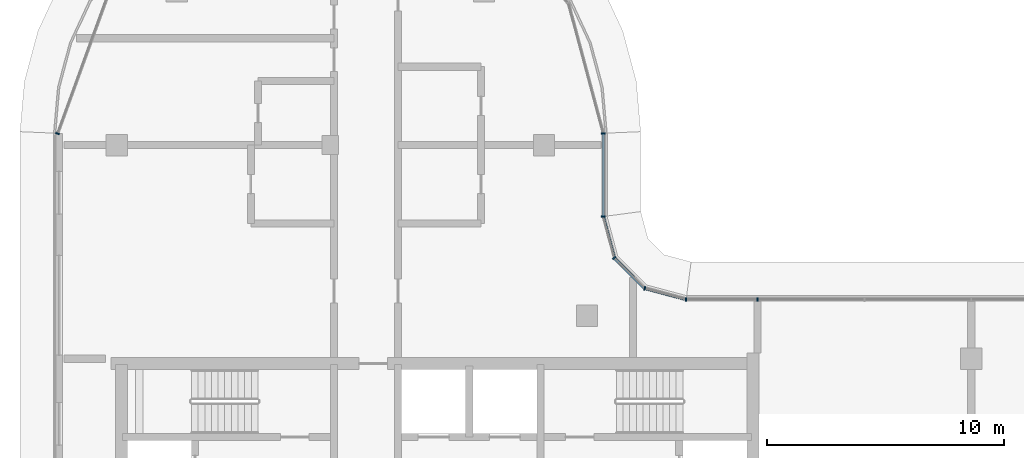
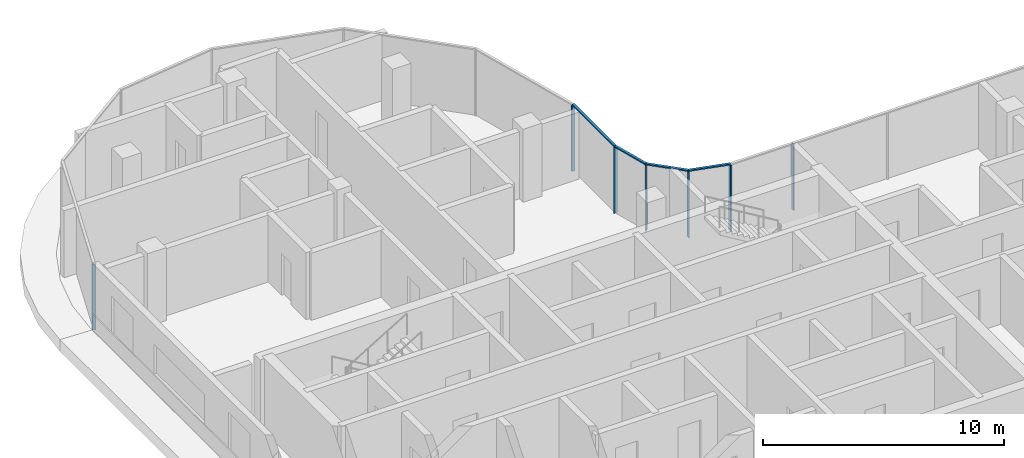
# One storey, part 2 of 20: 11 members, 4 elements without a shape of their own.
"""IFC4 building model written with IfcOpenShell, lengths in metres."""

from ifc_helpers import new_model, si_unit, direction, frame, origin, origin_2d, place, context, subcontext, project, spatial, rectangle, extrude, material, material_profile, profile_set, type_object, element, aggregate, save


model = new_model("IFC4")

# Units and contexts
model_context = context("Model", 3, precision=1e-05, world=origin(), true_north=direction((0.0, 1.0)))
body_context = subcontext(model_context, "Body", "Model", "MODEL_VIEW")
ifc_project = project(units=[si_unit("LENGTHUNIT", "METRE"), si_unit("AREAUNIT", "SQUARE_METRE"), si_unit("VOLUMEUNIT", "CUBIC_METRE"), si_unit("PLANEANGLEUNIT", "RADIAN"), si_unit("MASSUNIT", "GRAM", prefix="KILO")], contexts=[model_context])

# Site, building, storey
site_placement = place(None, origin())
site = spatial("IfcSite", under=ifc_project, at=site_placement, CompositionType="ELEMENT")
building_placement = place(site_placement, origin())
building = spatial("IfcBuilding", under=site, at=building_placement, Name="Ogive Portal Towers", CompositionType="ELEMENT")
storey_placement = place(building_placement, frame((0.0, 0.0, 232.800048828125)))
storey = spatial("IfcBuildingStorey", under=building, at=storey_placement, Name="L58", CompositionType="ELEMENT", Elevation=232.800048828125)

# Curtain wall, members
ifc_material_1 = material(Name="Glass, clear low-iron insulated glazing", Category="glass")
curtain_wall_type = type_object("IfcCurtainWallType", Name="CW FRONT RIBBON 4500", PredefinedType="NOTDEFINED", material=ifc_material_1)
curtain_wall_1_placement = place(storey_placement, origin())
curtain_wall_1 = element("IfcCurtainWall", 1, at=curtain_wall_1_placement, inside=storey, type_object=curtain_wall_type, Name="A:L58:f16:cw0", PredefinedType="NOTDEFINED")
ifc_material_2 = material(Name="Aluminium 6063 anodised", Category="aluminium")
ifc_material_profile_1 = material_profile(ifc_material_2, rectangle(XDim=0.159912109375, YDim=0.06005859375, at=origin_2d()), Name="AL 60x160")
ifc_profile_set_1 = profile_set([ifc_material_profile_1], Name="Aluminium 6063 anodised")
member_type_1 = type_object("IfcMemberType", Name="CW MULLION 60x160", PredefinedType="MULLION", material=ifc_profile_set_1)
member_1_placement = place(storey_placement, frame((58.5, 41.9951171875, 0.0), z_axis=(0.0, 0.0, 1.0), x_axis=(0.0, -1.0, 0.0)))
member_1 = element("IfcMember", 2, at=member_1_placement, type_object=member_type_1, Name="mullion", PredefinedType="MULLION", context=body_context, shape_type="SweptSolid", body=[
    extrude(rectangle(XDim=0.159912109375, YDim=0.06005859375, at=origin_2d()), origin(), (0.0, 0.0, 1.0), 3.33984375),
])
member_2_placement = place(storey_placement, frame((55.489501953125, 41.9951171875, 0.0), z_axis=(0.0, 0.0, 1.0), x_axis=(0.0, -1.0, 0.0)))
member_2 = element("IfcMember", 3, at=member_2_placement, type_object=member_type_1, Name="mullion", PredefinedType="MULLION", context=body_context, shape_type="SweptSolid", body=[
    extrude(rectangle(XDim=0.159912109375, YDim=0.06005859375, at=origin_2d()), origin(), (0.0, 0.0, 1.0), 3.33984375),
])
aggregate(curtain_wall_1, [member_1, member_2])

curtain_wall_2_placement = place(storey_placement, origin())
curtain_wall_2 = element("IfcCurtainWall", 4, at=curtain_wall_2_placement, inside=storey, type_object=curtain_wall_type, Name="A:L58:f20:cw0", PredefinedType="NOTDEFINED")
member_3_placement = place(storey_placement, frame((51.9951171875, 45.489501953125, 0.0), z_axis=(0.0, 0.0, 1.0), x_axis=(-1.0, 0.0, 0.0)))
member_3 = element("IfcMember", 5, at=member_3_placement, type_object=member_type_1, Name="mullion", PredefinedType="MULLION", context=body_context, shape_type="SweptSolid", body=[
    extrude(rectangle(XDim=0.159912109375, YDim=0.06005859375, at=origin_2d()), origin(), (0.0, 0.0, 1.0), 3.33984375),
])
member_4_placement = place(storey_placement, frame((51.9951171875, 48.989501953125, 0.0), z_axis=(0.0, 0.0, 1.0), x_axis=(-1.0, 0.0, 0.0)))
member_4 = element("IfcMember", 6, at=member_4_placement, type_object=member_type_1, Name="mullion", PredefinedType="MULLION", context=body_context, shape_type="SweptSolid", body=[
    extrude(rectangle(XDim=0.159912109375, YDim=0.06005859375, at=origin_2d()), origin(), (0.0, 0.0, 1.0), 3.33984375),
])

curtain_wall_3_placement = place(storey_placement, origin())
curtain_wall_3 = element("IfcCurtainWall", 7, at=curtain_wall_3_placement, inside=storey, type_object=curtain_wall_type, Name="A:L58:f17:cwa", PredefinedType="NOTDEFINED")
member_5_placement = place(storey_placement, frame((53.74609375, 42.462158203125, 0.0), z_axis=(0.0, 0.0, 1.0), x_axis=(-0.258819045103, -0.965925826289, 0.0)))
member_5 = element("IfcMember", 8, at=member_5_placement, type_object=member_type_1, Name="mullion", PredefinedType="MULLION", context=body_context, shape_type="SweptSolid", body=[
    extrude(rectangle(XDim=0.159912109375, YDim=0.06005859375, at=origin_2d()), origin(), (0.0, 0.0, 1.0), 3.33984375),
])
member_6_placement = place(storey_placement, frame((52.462158203125, 43.74609375, 0.0), z_axis=(0.0, 0.0, 1.0), x_axis=(-0.707106781187, -0.707106781187, 0.0)))
member_6 = element("IfcMember", 9, at=member_6_placement, type_object=member_type_1, Name="mullion", PredefinedType="MULLION", context=body_context, shape_type="SweptSolid", body=[
    extrude(rectangle(XDim=0.159912109375, YDim=0.06005859375, at=origin_2d()), origin(), (0.0, 0.0, 1.0), 3.33984375),
])

# Curtain wall, member
curtain_wall_4_placement = place(storey_placement, origin())
curtain_wall_4 = element("IfcCurtainWall", 10, at=curtain_wall_4_placement, inside=storey, type_object=curtain_wall_type, Name="A:L58:f21:cwa", PredefinedType="NOTDEFINED")
member_7_placement = place(storey_placement, frame((29.0048828125, 48.98583984375, 0.0), z_axis=(0.0, 0.0, 1.0), x_axis=(0.939692620786, -0.342020143326, 0.0)))
member_7 = element("IfcMember", 11, at=member_7_placement, type_object=member_type_1, Name="mullion", PredefinedType="MULLION", context=body_context, shape_type="SweptSolid", body=[
    extrude(rectangle(XDim=0.159912109375, YDim=0.06005859375, at=origin_2d()), origin(), (0.0, 0.0, 1.0), 3.33984375),
])
aggregate(curtain_wall_4, [member_7])

# Member
ifc_material_profile_2 = material_profile(ifc_material_2, rectangle(XDim=0.1201171875, YDim=0.06005859375, at=origin_2d()), Name="AL 120x60")
ifc_profile_set_2 = profile_set([ifc_material_profile_2], Name="Aluminium 6063 anodised")
member_type_2 = type_object("IfcMemberType", Name="CW TRANSOM 60x120", PredefinedType="USERDEFINED", material=ifc_profile_set_2)
member_8_placement = place(storey_placement, frame((51.9951171875, 45.489501953125, 3.369873046875), z_axis=(0.0, 1.0, 0.0), x_axis=(-1.0, 0.0, 0.0)))
member_8 = element("IfcMember", 12, at=member_8_placement, type_object=member_type_2, Name="transom", ObjectType="TRANSOM", PredefinedType="USERDEFINED", context=body_context, shape_type="SweptSolid", body=[
    extrude(rectangle(XDim=0.1201171875, YDim=0.06005859375, at=origin_2d()), origin(), (0.0, 0.0, 1.0), 3.5),
])

aggregate(curtain_wall_2, [member_8, member_3, member_4])

member_9_placement = place(storey_placement, frame((55.489501953125, 41.9951171875, 3.369873046875), z_axis=(-0.965940203089, 0.258765384191, 0.0), x_axis=(-0.258765384191, -0.965940203089, 0.0)))
member_9 = element("IfcMember", 13, at=member_9_placement, type_object=member_type_2, Name="transom", ObjectType="TRANSOM", PredefinedType="USERDEFINED", context=body_context, shape_type="SweptSolid", body=[
    extrude(rectangle(XDim=0.1201171875, YDim=0.06005859375, at=origin_2d()), origin(), (0.0, 0.0, 1.0), 1.804931640625),
])

member_10_placement = place(storey_placement, frame((53.74609375, 42.462158203125, 3.369873046875), z_axis=(-0.707106781187, 0.707106781187, 0.0), x_axis=(-0.707106781187, -0.707106781187, 0.0)))
member_10 = element("IfcMember", 14, at=member_10_placement, type_object=member_type_2, Name="transom", ObjectType="TRANSOM", PredefinedType="USERDEFINED", context=body_context, shape_type="SweptSolid", body=[
    extrude(rectangle(XDim=0.1201171875, YDim=0.06005859375, at=origin_2d()), origin(), (0.0, 0.0, 1.0), 1.815673828125),
])

member_11_placement = place(storey_placement, frame((52.462158203125, 43.74609375, 3.369873046875), z_axis=(-0.258765384191, 0.965940203089, 0.0), x_axis=(-0.965940203089, -0.258765384191, 0.0)))
member_11 = element("IfcMember", 15, at=member_11_placement, type_object=member_type_2, Name="transom", ObjectType="TRANSOM", PredefinedType="USERDEFINED", context=body_context, shape_type="SweptSolid", body=[
    extrude(rectangle(XDim=0.1201171875, YDim=0.06005859375, at=origin_2d()), origin(), (0.0, 0.0, 1.0), 1.804931640625),
])

aggregate(curtain_wall_3, [member_9, member_10, member_11, member_5, member_6])

save(model, "model.ifc")
